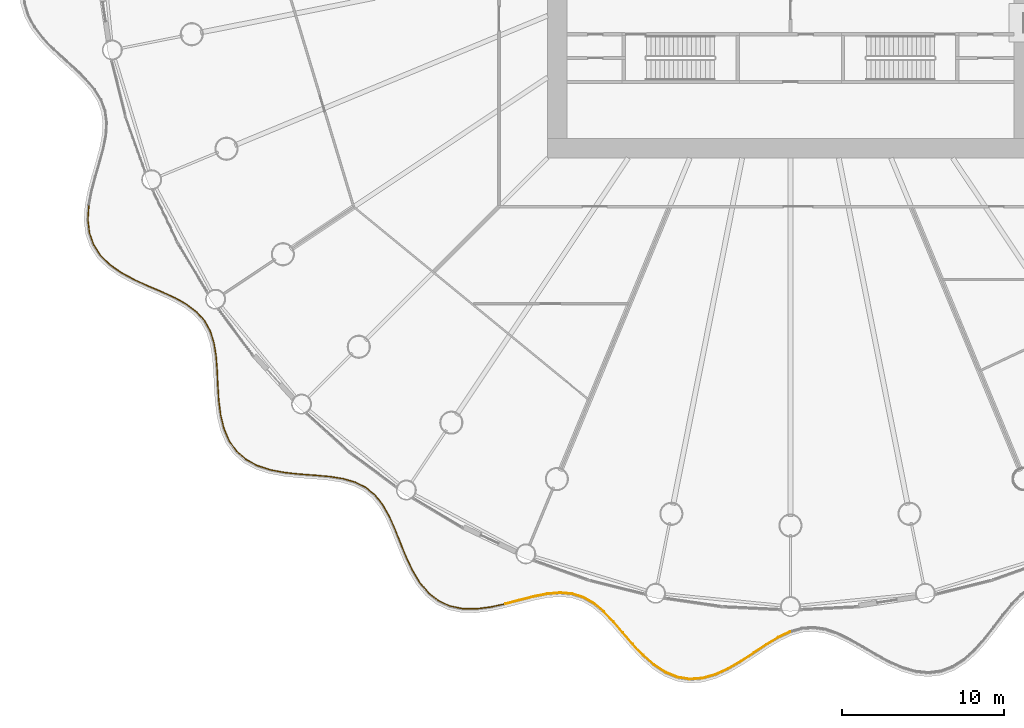
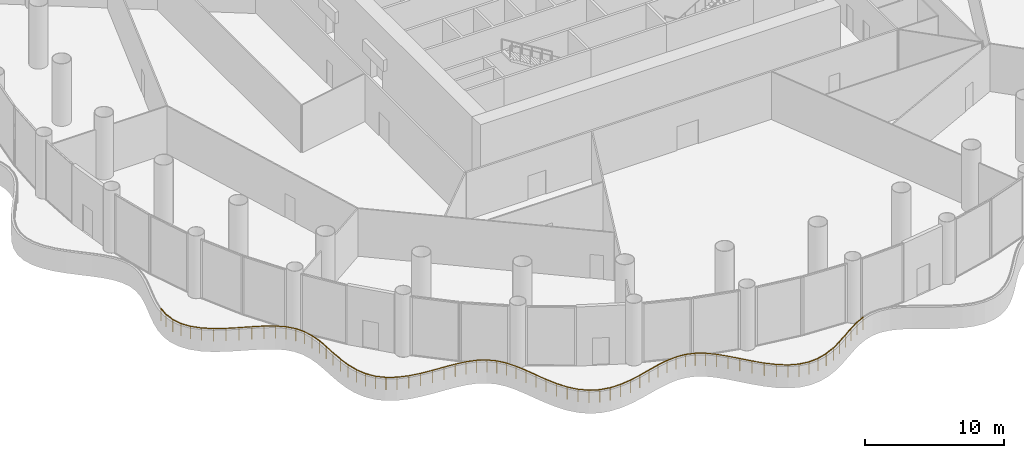
# One storey, part 30 of 37: 3 railings.
"""IFC4 building model written with IfcOpenShell, lengths in metres."""

import ifcopenshell
import ifcopenshell.guid

model = None  # the IFC model being written
_history = None  # IfcOwnerHistory: only IFC2X3 demands one
_inside = {}  # id of a spatial element -> (the spatial element, [elements in it])
_under = {}  # id of a project, library or spatial element -> (it, [spatial elements below it])
_declared = {}  # id of a project -> (the project, [libraries it declares])
_typed = {}  # id of a type object -> (the type object, [elements of that type])
_made_of = {}  # id of a material, layer set ... -> (it, [elements and type objects made of it])


def new_model(schema):
    """Start an empty IFC model of exactly this schema.

    Asked for "IFC4X3", IfcOpenShell would pick the latest addendum, in which some entities
    have other attributes; the version numbers below select the first issue.
    IFC2X3 requires an IfcOwnerHistory on every rooted entity: one is made here for all.
    """
    global model, _history
    if schema == "IFC4X3":
        model = ifcopenshell.file(schema_version=(4, 3, 0, 0))
    else:
        model = ifcopenshell.file(schema=schema)
    _inside.clear()
    _under.clear()
    _declared.clear()
    _typed.clear()
    _made_of.clear()
    _history = None
    if model.schema == "IFC2X3":
        org = make("IfcOrganization", Name="unknown")
        user = make(
            "IfcPersonAndOrganization",
            ThePerson=make("IfcPerson", FamilyName="unknown"),
            TheOrganization=org,
        )
        app = make(
            "IfcApplication",
            ApplicationDeveloper=org,
            Version="unknown",
            ApplicationFullName="unknown",
            ApplicationIdentifier="unknown",
        )
        _history = make(
            "IfcOwnerHistory",
            OwningUser=user,
            OwningApplication=app,
            ChangeAction="ADDED",
            CreationDate=0,
        )
    return model


def make(cls, **values):
    """One entity of the class cls with the attributes given. An attribute that is None is left unset."""
    return model.create_entity(
        cls, **{name: value for name, value in values.items() if value is not None}
    )


def rooted(cls, **values):
    """An entity with a GlobalId (a new one), such as an element, a storey or a relation."""
    return make(cls, GlobalId=ifcopenshell.guid.new(), OwnerHistory=_history, **values)


def si_unit(unit_type, name, prefix=None):
    """IfcSIUnit, for example si_unit("LENGTHUNIT", "METRE", prefix="MILLI")."""
    return make("IfcSIUnit", UnitType=unit_type, Prefix=prefix, Name=name)


def assignment(units):
    """IfcUnitAssignment: the units of a project."""
    return None if units is None else make("IfcUnitAssignment", Units=units)


def point(xyz):
    """IfcCartesianPoint."""
    return None if xyz is None else make("IfcCartesianPoint", Coordinates=xyz)


def direction(xyz):
    """IfcDirection."""
    return None if xyz is None else make("IfcDirection", DirectionRatios=xyz)


def frame(location, z_axis=None, x_axis=None):
    """IfcAxis2Placement3D, a coordinate frame: its origin and axes. An axis left out is left unset."""
    return make(
        "IfcAxis2Placement3D",
        Location=point(location),
        Axis=direction(z_axis),
        RefDirection=direction(x_axis),
    )


def frame_2d(location, x_axis=None):
    """IfcAxis2Placement2D, a coordinate frame in the plane: its origin and x axis."""
    return make(
        "IfcAxis2Placement2D", Location=point(location), RefDirection=direction(x_axis)
    )


def origin():
    """The frame at (0, 0, 0) with its axes left unset."""
    return frame((0.0, 0.0, 0.0))


def origin_2d():
    """The frame at (0, 0) in the plane with its x axis left unset."""
    return frame_2d((0.0, 0.0))


def place(relative_to, where):
    """IfcLocalPlacement: puts the frame where relative to a parent placement (None: the world)."""
    return make(
        "IfcLocalPlacement", PlacementRelTo=relative_to, RelativePlacement=where
    )


def context(
    kind, dimensions, precision=None, world=None, true_north=None, identifier=None
):
    """IfcGeometricRepresentationContext, for example the 3D "Model" context."""
    return make(
        "IfcGeometricRepresentationContext",
        ContextIdentifier=identifier,
        ContextType=kind,
        CoordinateSpaceDimension=dimensions,
        Precision=precision,
        WorldCoordinateSystem=world,
        TrueNorth=true_north,
    )


def subcontext(parent, identifier, kind, view, scale=None):
    """IfcGeometricRepresentationSubContext, for example "Body" below "Model"."""
    return make(
        "IfcGeometricRepresentationSubContext",
        ContextIdentifier=identifier,
        ContextType=kind,
        ParentContext=parent,
        TargetScale=scale,
        TargetView=view,
    )


def project(units=None, contexts=None):
    """IfcProject with its units and contexts."""
    return rooted(
        "IfcProject",
        Name="project",
        RepresentationContexts=contexts,
        UnitsInContext=assignment(units),
    )


def spatial(cls, under=None, at=None, **own):
    """A site, building, storey or space (cls), placed at a placement, below another one or the project."""
    s = rooted(cls, ObjectPlacement=at, **own)
    if under is not None:
        _under.setdefault(under.id(), (under, []))[1].append(s)
    return s


def profile(cls, at=None, kind="AREA", **sizes):
    """A parametric profile (cls). Its sizes go by their IFC names, for example OverallWidth=200.0."""
    return make(cls, ProfileType=kind, Position=at, **sizes)


def circle(**sizes):
    """IfcCircleProfileDef."""
    return profile("IfcCircleProfileDef", **sizes)


def extrude(swept, where, along, depth):
    """IfcExtrudedAreaSolid: the profile swept, set in the frame where, extruded along a direction by depth."""
    return make(
        "IfcExtrudedAreaSolid",
        SweptArea=swept,
        Position=where,
        ExtrudedDirection=direction(along),
        Depth=depth,
    )


def shape(context_of_items, identifier, shape_type, items):
    """IfcShapeRepresentation: the items that make up one representation, for example the "Body"."""
    return make(
        "IfcShapeRepresentation",
        ContextOfItems=context_of_items,
        RepresentationIdentifier=identifier,
        RepresentationType=shape_type,
        Items=items,
    )


def material(Name=None, Category=None):
    """IfcMaterial."""
    return make("IfcMaterial", Name=Name, Category=Category)


def made_of(thing, what):
    """Note that an element or type object is made of a material, layer set ...; save() writes the relation."""
    if what is not None:
        _made_of.setdefault(what.id(), (what, []))[1].append(thing)
    return thing


def type_object(cls, material=None, **own):
    """A type object (cls), such as IfcWallType, which elements share."""
    return made_of(rooted(cls, **own), material)


def element(
    cls,
    number,
    at=None,
    inside=None,
    cuts=None,
    type_object=None,
    material=None,
    context=None,
    identifier="Body",
    shape_type=None,
    held_by="IfcProductDefinitionShape",
    body=None,
    shapes=None,
    **own,
):
    """One element of the class cls, such as IfcWall. Its Tag is "e" and its number.

    at: its placement. inside: the storey or other place that contains it. cuts: it is an
    opening in that element (IfcRelVoidsElement). A single representation is given by context,
    identifier, shape_type and body (its items); several are given by shapes. held_by: the class
    of the entity that holds the representations. save() writes the other relations.
    """
    e = rooted(cls, Tag="e%d" % number, ObjectPlacement=at, **own)
    if body is not None:
        shapes = [shape(context, identifier, shape_type, body)]
    if shapes is not None:
        e.Representation = make(held_by, Representations=shapes)
    if inside is not None:
        _inside.setdefault(inside.id(), (inside, []))[1].append(e)
    if cuts is not None:
        rooted(
            "IfcRelVoidsElement", RelatingBuildingElement=cuts, RelatedOpeningElement=e
        )
    if type_object is not None:
        _typed.setdefault(type_object.id(), (type_object, []))[1].append(e)
    return made_of(e, material)


def aggregate(whole, parts):
    """IfcRelAggregates: a whole, such as a stair, and the parts it consists of."""
    return rooted("IfcRelAggregates", RelatingObject=whole, RelatedObjects=parts)


def save(model, path):
    """Write the relations noted so far, then the file.

    IfcRelAggregates (storeys below a building ...), IfcRelContainedInSpatialStructure (elements
    in a storey), IfcRelDefinesByType, IfcRelAssociatesMaterial and IfcRelDeclares: one each for
    every whole, place, type object, material and project.
    """
    for whole, parts in _under.values():
        aggregate(whole, parts)
    for where, things in _inside.values():
        rooted(
            "IfcRelContainedInSpatialStructure",
            RelatedElements=things,
            RelatingStructure=where,
        )
    for kind, things in _typed.values():
        rooted("IfcRelDefinesByType", RelatedObjects=things, RelatingType=kind)
    for what, things in _made_of.values():
        rooted("IfcRelAssociatesMaterial", RelatedObjects=things, RelatingMaterial=what)
    for by, libraries in _declared.values():
        rooted("IfcRelDeclares", RelatingContext=by, RelatedDefinitions=libraries)
    model.write(path)


model = new_model("IFC4")

# Units and contexts
model_context = context("Model", 3, precision=1e-05, world=origin(), true_north=direction((0.0, 1.0)))
body_context = subcontext(model_context, "Body", "Model", "MODEL_VIEW")
ifc_project = project(units=[si_unit("LENGTHUNIT", "METRE"), si_unit("AREAUNIT", "SQUARE_METRE"), si_unit("VOLUMEUNIT", "CUBIC_METRE"), si_unit("PLANEANGLEUNIT", "RADIAN"), si_unit("MASSUNIT", "GRAM", prefix="KILO")], contexts=[model_context])

# Site, building, storey
site_placement = place(None, origin())
site = spatial("IfcSite", under=ifc_project, at=site_placement, CompositionType="ELEMENT")
building_placement = place(site_placement, origin())
building = spatial("IfcBuilding", under=site, at=building_placement, Name="Corvane Civic Tower", CompositionType="ELEMENT")
storey_placement = place(building_placement, frame((0.0, 0.0, 11.5)))
storey = spatial("IfcBuildingStorey", under=building, at=storey_placement, Name="L02", CompositionType="ELEMENT", Elevation=11.5)

# Railings
ifc_material = material(Name="Steel ASTM A572 Gr 50", Category="steel")
railing_type = type_object("IfcRailingType", Name="PODIUM-RL-GUARD-1100", PredefinedType="GUARDRAIL", material=ifc_material)
railing_1_placement = place(storey_placement, frame((-43.336669921875, -17.974853515625, 0.0)))
element("IfcRailing", 1, at=railing_1_placement, inside=storey, type_object=railing_type, Name="L02 ribbon guard 6", PredefinedType="GUARDRAIL", context=body_context, shape_type="SweptSolid", body=[
    extrude(circle(Radius=0.02392578125, at=origin_2d()), frame((0.0, 0.0, 1.076171875), z_axis=(-0.061887576155, -0.998083126757, 0.0), x_axis=(0.998083126757, -0.061887576155, 0.0)), (0.0, 0.0, 1.0), 0.83642578125),
    extrude(circle(Radius=0.02392578125, at=origin_2d()), frame((-0.0517578125, -0.834716796875, 1.076171875), z_axis=(0.114156592688, -0.993462768475, 0.0), x_axis=(0.993462768475, 0.114156592688, 0.0)), (0.0, 0.0, 1.0), 0.812744140625),
    extrude(circle(Radius=0.02392578125, at=origin_2d()), frame((0.041015625, -1.64208984375, 1.076171875), z_axis=(0.328375339933, -0.944547318097, 0.0), x_axis=(0.944547318097, 0.328375339933, 0.0)), (0.0, 0.0, 1.0), 0.7822265625),
    extrude(circle(Radius=0.02392578125, at=origin_2d()), frame((0.2978515625, -2.380859375, 1.076171875), z_axis=(0.541119467015, -0.840945730959, 0.0), x_axis=(0.840945730959, 0.541119467015, 0.0)), (0.0, 0.0, 1.0), 0.7841796875),
    extrude(circle(Radius=0.02392578125, at=origin_2d()), frame((0.72216796875, -3.040283203125, 1.076171875), z_axis=(0.709343264461, -0.704863201738, 0.0), x_axis=(0.704863201738, 0.709343264461, 0.0)), (0.0, 0.0, 1.0), 0.8173828125),
    extrude(circle(Radius=0.02392578125, at=origin_2d()), frame((1.302001953125, -3.616455078125, 1.076171875), z_axis=(0.818635721865, -0.574313115718, 0.0), x_axis=(0.574313115718, 0.818635721865, 0.0)), (0.0, 0.0, 1.0), 0.866455078125),
    extrude(circle(Radius=0.02392578125, at=origin_2d()), frame((2.01123046875, -4.114013671875, 1.076171875), z_axis=(0.88067761825, -0.473716088721, 0.0), x_axis=(0.473716088721, 0.88067761825, 0.0)), (0.0, 0.0, 1.0), 0.91064453125),
    extrude(circle(Radius=0.02392578125, at=origin_2d()), frame((2.813232421875, -4.54541015625, 1.076171875), z_axis=(0.911161682007, -0.412049013155, 0.0), x_axis=(0.412049013155, 0.911161682007, 0.0)), (0.0, 0.0, 1.0), 0.933837890625),
    extrude(circle(Radius=0.02392578125, at=origin_2d()), frame((3.6640625, -4.93017578125, 1.076171875), z_axis=(0.920015181369, -0.391882719764, 0.0), x_axis=(0.391882719764, 0.920015181369, 0.0)), (0.0, 0.0, 1.0), 0.926513671875),
    extrude(circle(Radius=0.02392578125, at=origin_2d()), frame((4.516357421875, -5.293212890625, 1.076171875), z_axis=(0.909688003863, -0.41529234959, 0.0), x_axis=(0.41529234959, 0.909688003863, 0.0)), (0.0, 0.0, 1.0), 0.888916015625),
    extrude(circle(Radius=0.02392578125, at=origin_2d()), frame((5.324951171875, -5.662353515625, 1.076171875), z_axis=(0.874115666585, -0.485717820787, 0.0), x_axis=(0.485717820787, 0.874115666585, 0.0)), (0.0, 0.0, 1.0), 0.830322265625),
    extrude(circle(Radius=0.02392578125, at=origin_2d()), frame((6.05078125, -6.065673828125, 1.076171875), z_axis=(0.79812863736, -0.602487077227, 0.0), x_axis=(0.602487077227, 0.79812863736, 0.0)), (0.0, 0.0, 1.0), 0.768798828125),
    extrude(circle(Radius=0.02392578125, at=origin_2d()), frame((6.664306640625, -6.52880859375, 1.076171875), z_axis=(0.66584226346, -0.746092541305, 0.0), x_axis=(0.746092541305, 0.66584226346, 0.0)), (0.0, 0.0, 1.0), 0.72705078125),
    extrude(circle(Radius=0.02392578125, at=origin_2d()), frame((7.1484375, -7.0712890625, 1.076171875), z_axis=(0.485328341543, -0.874331974078, 0.0), x_axis=(0.874331974078, 0.485328341543, 0.0)), (0.0, 0.0, 1.0), 0.724853515625),
    extrude(circle(Radius=0.02392578125, at=origin_2d()), frame((7.500244140625, -7.705078125, 1.076171875), z_axis=(0.30178990041, -0.953374457394, 0.0), x_axis=(0.953374457394, 0.30178990041, 0.0)), (0.0, 0.0, 1.0), 0.762939453125),
    extrude(circle(Radius=0.02392578125, at=origin_2d()), frame((7.73046875, -8.432373046875, 1.076171875), z_axis=(0.160359970746, -0.987058599974, 0.0), x_axis=(0.987058599974, 0.160359970746, 0.0)), (0.0, 0.0, 1.0), 0.82373046875),
    extrude(circle(Radius=0.02392578125, at=origin_2d()), frame((7.862548828125, -9.245361328125, 1.076171875), z_axis=(0.07542872719, -0.997151195714, 0.0), x_axis=(0.997151195714, 0.07542872719, 0.0)), (0.0, 0.0, 1.0), 0.883544921875),
    extrude(circle(Radius=0.02392578125, at=origin_2d()), frame((7.92919921875, -10.12646484375, 1.076171875), z_axis=(0.044928131662, -0.998990221667, 0.0), x_axis=(0.998990221667, 0.044928131662, 0.0)), (0.0, 0.0, 1.0), 0.923828125),
    extrude(circle(Radius=0.02392578125, at=origin_2d()), frame((7.970703125, -11.04931640625, 1.076171875), z_axis=(0.061662540567, -0.998097054945, 0.0), x_axis=(0.998097054945, 0.061662540567, 0.0)), (0.0, 0.0, 1.0), 0.934326171875),
    extrude(circle(Radius=0.02392578125, at=origin_2d()), frame((8.0283203125, -11.98193359375, 1.076171875), z_axis=(0.125480400007, -0.99209609878, 0.0), x_axis=(0.99209609878, 0.125480400007, 0.0)), (0.0, 0.0, 1.0), 0.91455078125),
    extrude(circle(Radius=0.02392578125, at=origin_2d()), frame((8.14306640625, -12.88916015625, 1.076171875), z_axis=(0.236401609899, -0.971655432155, 0.0), x_axis=(0.971655432155, 0.236401609899, 0.0)), (0.0, 0.0, 1.0), 0.87158203125),
    extrude(circle(Radius=0.02392578125, at=origin_2d()), frame((8.34912109375, -13.736083984375, 1.076171875), z_axis=(0.392843922588, -0.919605161189, 0.0), x_axis=(0.919605161189, 0.392843922588, 0.0)), (0.0, 0.0, 1.0), 0.822265625),
    extrude(circle(Radius=0.02392578125, at=origin_2d()), frame((8.672119140625, -14.4921875, 1.076171875), z_axis=(0.578060431514, -0.81599395679, 0.0), x_axis=(0.81599395679, 0.578060431514, 0.0)), (0.0, 0.0, 1.0), 0.785888671875),
    extrude(circle(Radius=0.02392578125, at=origin_2d()), frame((9.12646484375, -15.133544921875, 1.076171875), z_axis=(0.753136596258, -0.657864170917, 0.0), x_axis=(0.657864170917, 0.753136596258, 0.0)), (0.0, 0.0, 1.0), 0.755859375),
    extrude(circle(Radius=0.02099609375, at=origin_2d()), origin(), (0.0, 0.0, 1.0), 1.052001953125),
    extrude(circle(Radius=0.02099609375, at=origin_2d()), frame((-0.0517578125, -0.834716796875, 0.0)), (0.0, 0.0, 1.0), 1.052001953125),
    extrude(circle(Radius=0.02099609375, at=origin_2d()), frame((0.041015625, -1.64208984375, 0.0)), (0.0, 0.0, 1.0), 1.052001953125),
    extrude(circle(Radius=0.02099609375, at=origin_2d()), frame((0.2978515625, -2.380859375, 0.0)), (0.0, 0.0, 1.0), 1.052001953125),
    extrude(circle(Radius=0.02099609375, at=origin_2d()), frame((0.72216796875, -3.040283203125, 0.0)), (0.0, 0.0, 1.0), 1.052001953125),
    extrude(circle(Radius=0.02099609375, at=origin_2d()), frame((1.302001953125, -3.616455078125, 0.0)), (0.0, 0.0, 1.0), 1.052001953125),
    extrude(circle(Radius=0.02099609375, at=origin_2d()), frame((2.01123046875, -4.114013671875, 0.0)), (0.0, 0.0, 1.0), 1.052001953125),
    extrude(circle(Radius=0.02099609375, at=origin_2d()), frame((2.813232421875, -4.54541015625, 0.0)), (0.0, 0.0, 1.0), 1.052001953125),
    extrude(circle(Radius=0.02099609375, at=origin_2d()), frame((3.6640625, -4.93017578125, 0.0)), (0.0, 0.0, 1.0), 1.052001953125),
    extrude(circle(Radius=0.02099609375, at=origin_2d()), frame((4.516357421875, -5.293212890625, 0.0)), (0.0, 0.0, 1.0), 1.052001953125),
    extrude(circle(Radius=0.02099609375, at=origin_2d()), frame((5.324951171875, -5.662353515625, 0.0)), (0.0, 0.0, 1.0), 1.052001953125),
    extrude(circle(Radius=0.02099609375, at=origin_2d()), frame((6.05078125, -6.065673828125, 0.0)), (0.0, 0.0, 1.0), 1.052001953125),
    extrude(circle(Radius=0.02099609375, at=origin_2d()), frame((6.664306640625, -6.52880859375, 0.0)), (0.0, 0.0, 1.0), 1.052001953125),
    extrude(circle(Radius=0.02099609375, at=origin_2d()), frame((7.1484375, -7.0712890625, 0.0)), (0.0, 0.0, 1.0), 1.052001953125),
    extrude(circle(Radius=0.02099609375, at=origin_2d()), frame((7.500244140625, -7.705078125, 0.0)), (0.0, 0.0, 1.0), 1.052001953125),
    extrude(circle(Radius=0.02099609375, at=origin_2d()), frame((7.73046875, -8.432373046875, 0.0)), (0.0, 0.0, 1.0), 1.052001953125),
    extrude(circle(Radius=0.02099609375, at=origin_2d()), frame((7.862548828125, -9.245361328125, 0.0)), (0.0, 0.0, 1.0), 1.052001953125),
    extrude(circle(Radius=0.02099609375, at=origin_2d()), frame((7.92919921875, -10.12646484375, 0.0)), (0.0, 0.0, 1.0), 1.052001953125),
    extrude(circle(Radius=0.02099609375, at=origin_2d()), frame((7.970703125, -11.04931640625, 0.0)), (0.0, 0.0, 1.0), 1.052001953125),
    extrude(circle(Radius=0.02099609375, at=origin_2d()), frame((8.0283203125, -11.98193359375, 0.0)), (0.0, 0.0, 1.0), 1.052001953125),
    extrude(circle(Radius=0.02099609375, at=origin_2d()), frame((8.14306640625, -12.88916015625, 0.0)), (0.0, 0.0, 1.0), 1.052001953125),
    extrude(circle(Radius=0.02099609375, at=origin_2d()), frame((8.34912109375, -13.736083984375, 0.0)), (0.0, 0.0, 1.0), 1.052001953125),
    extrude(circle(Radius=0.02099609375, at=origin_2d()), frame((8.672119140625, -14.4921875, 0.0)), (0.0, 0.0, 1.0), 1.052001953125),
    extrude(circle(Radius=0.02099609375, at=origin_2d()), frame((9.12646484375, -15.133544921875, 0.0)), (0.0, 0.0, 1.0), 1.052001953125),
    extrude(circle(Radius=0.02099609375, at=origin_2d()), frame((9.69580078125, -15.630859375, 0.0)), (0.0, 0.0, 1.0), 1.052001953125),
])
railing_2_placement = place(storey_placement, frame((-33.60009765625, -33.6337890625, 0.0)))
element("IfcRailing", 2, at=railing_2_placement, inside=storey, type_object=railing_type, Name="L02 ribbon guard 7", PredefinedType="GUARDRAIL", context=body_context, shape_type="SweptSolid", body=[
    extrude(circle(Radius=0.02392578125, at=origin_2d()), frame((0.0, 0.0, 1.076171875), z_axis=(0.880361004263, -0.474304229554, 0.0), x_axis=(0.474304229554, 0.880361004263, 0.0)), (0.0, 0.0, 1.0), 0.783447265625),
    extrude(circle(Radius=0.02392578125, at=origin_2d()), frame((0.689697265625, -0.37158203125, 1.076171875), z_axis=(0.951552568716, -0.307486111833, 0.0), x_axis=(0.307486111833, 0.951552568716, 0.0)), (0.0, 0.0, 1.0), 0.85595703125),
    extrude(circle(Radius=0.02392578125, at=origin_2d()), frame((1.504150390625, -0.634765625, 1.076171875), z_axis=(0.983249711201, -0.182263560327, 0.0), x_axis=(0.182263560327, 0.983249711201, 0.0)), (0.0, 0.0, 1.0), 0.90283203125),
    extrude(circle(Radius=0.02392578125, at=origin_2d()), frame((2.391845703125, -0.79931640625, 1.076171875), z_axis=(0.994539880598, -0.104357203395, 0.0), x_axis=(0.104357203395, 0.994539880598, 0.0)), (0.0, 0.0, 1.0), 0.93115234375),
    extrude(circle(Radius=0.02392578125, at=origin_2d()), frame((3.31787109375, -0.896484375, 1.076171875), z_axis=(0.997356492386, -0.072663794948, 0.0), x_axis=(0.072663794948, 0.997356492386, 0.0)), (0.0, 0.0, 1.0), 0.9306640625),
    extrude(circle(Radius=0.02392578125, at=origin_2d()), frame((4.24609375, -0.964111328125, 1.076171875), z_axis=(0.996145220254, -0.087719440061, 0.0), x_axis=(0.087719440061, 0.996145220254, 0.0)), (0.0, 0.0, 1.0), 0.89892578125),
    extrude(circle(Radius=0.02392578125, at=origin_2d()), frame((5.1416015625, -1.04296875, 1.076171875), z_axis=(0.987942969504, -0.154818245075, 0.0), x_axis=(0.154818245075, 0.987942969504, 0.0)), (0.0, 0.0, 1.0), 0.84375),
    extrude(circle(Radius=0.02392578125, at=origin_2d()), frame((5.97509765625, -1.173583984375, 1.076171875), z_axis=(0.960669700127, -0.277693585193, 0.0), x_axis=(0.277693585193, 0.960669700127, 0.0)), (0.0, 0.0, 1.0), 0.78076171875),
    extrude(circle(Radius=0.02392578125, at=origin_2d()), frame((6.72509765625, -1.390380859375, 1.076171875), z_axis=(0.893091245841, -0.449875567909, 0.0), x_axis=(0.449875567909, 0.893091245841, 0.0)), (0.0, 0.0, 1.0), 0.733154296875),
    extrude(circle(Radius=0.02392578125, at=origin_2d()), frame((7.3798828125, -1.72021484375, 1.076171875), z_axis=(0.773218013178, -0.634140287394, 0.0), x_axis=(0.634140287394, 0.773218013178, 0.0)), (0.0, 0.0, 1.0), 0.721435546875),
    extrude(circle(Radius=0.02392578125, at=origin_2d()), frame((7.937744140625, -2.177734375, 1.076171875), z_axis=(0.625288442745, -0.780393723302, 0.0), x_axis=(0.780393723302, 0.625288442745, 0.0)), (0.0, 0.0, 1.0), 0.75244140625),
    extrude(circle(Radius=0.02392578125, at=origin_2d()), frame((8.408203125, -2.764892578125, 1.076171875), z_axis=(0.494547800989, -0.869150431477, 0.0), x_axis=(0.869150431477, 0.494547800989, 0.0)), (0.0, 0.0, 1.0), 0.81005859375),
    extrude(circle(Radius=0.02392578125, at=origin_2d()), frame((8.808837890625, -3.468994140625, 1.076171875), z_axis=(0.407359011643, -0.913268107202, 0.0), x_axis=(0.913268107202, 0.407359011643, 0.0)), (0.0, 0.0, 1.0), 0.8720703125),
    extrude(circle(Radius=0.02392578125, at=origin_2d()), frame((9.1640625, -4.265380859375, 1.076171875), z_axis=(0.36872877104, -0.929537031757, 0.0), x_axis=(0.929537031757, 0.36872877104, 0.0)), (0.0, 0.0, 1.0), 0.917724609375),
    extrude(circle(Radius=0.02392578125, at=origin_2d()), frame((9.50244140625, -5.118408203125, 1.076171875), z_axis=(0.375844544912, -0.926682727831, 0.0), x_axis=(0.926682727831, 0.375844544912, 0.0)), (0.0, 0.0, 1.0), 0.934814453125),
    extrude(circle(Radius=0.02392578125, at=origin_2d()), frame((9.853759765625, -5.984619140625, 1.076171875), z_axis=(0.424916002999, -0.905232782435, 0.0), x_axis=(0.905232782435, 0.424916002999, 0.0)), (0.0, 0.0, 1.0), 0.921142578125),
    extrude(circle(Radius=0.02392578125, at=origin_2d()), frame((10.2451171875, -6.818359375, 1.076171875), z_axis=(0.515309933617, -0.857003892824, 0.0), x_axis=(0.857003892824, 0.515309933617, 0.0)), (0.0, 0.0, 1.0), 0.881591796875),
    extrude(circle(Radius=0.02392578125, at=origin_2d()), frame((10.699462890625, -7.573974609375, 1.076171875), z_axis=(0.64055952996, -0.767908515761, 0.0), x_axis=(0.767908515761, 0.64055952996, 0.0)), (0.0, 0.0, 1.0), 0.83203125),
    extrude(circle(Radius=0.02392578125, at=origin_2d()), frame((11.232421875, -8.212890625, 1.076171875), z_axis=(0.782850211169, -0.622210211161, 0.0), x_axis=(0.622210211161, 0.782850211169, 0.0)), (0.0, 0.0, 1.0), 0.791748046875),
    extrude(circle(Radius=0.02392578125, at=origin_2d()), frame((11.852294921875, -8.70556640625, 1.076171875), z_axis=(0.905958848672, -0.42336575737, 0.0), x_axis=(0.42336575737, 0.905958848672, 0.0)), (0.0, 0.0, 1.0), 0.779052734375),
    extrude(circle(Radius=0.02392578125, at=origin_2d()), frame((12.55810546875, -9.035400390625, 1.076171875), z_axis=(0.978559496335, -0.20596434675, 0.0), x_axis=(0.20596434675, 0.978559496335, 0.0)), (0.0, 0.0, 1.0), 0.800048828125),
    extrude(circle(Radius=0.02392578125, at=origin_2d()), frame((13.341064453125, -9.2001953125, 1.076171875), z_axis=(0.999873829142, -0.015884766205, 0.0), x_axis=(0.015884766205, 0.999873829142, 0.0)), (0.0, 0.0, 1.0), 0.84521484375),
    extrude(circle(Radius=0.02392578125, at=origin_2d()), frame((14.186279296875, -9.213623046875, 1.076171875), z_axis=(0.992282078148, 0.124001118491, 0.0), x_axis=(-0.124001118491, 0.992282078148, 0.0)), (0.0, 0.0, 1.0), 0.893798828125),
    extrude(circle(Radius=0.02392578125, at=origin_2d()), frame((15.0732421875, -9.102783203125, 1.076171875), z_axis=(0.977300736575, 0.211856721135, 0.0), x_axis=(-0.211856721135, 0.977300736575, 0.0)), (0.0, 0.0, 1.0), 0.90234375),
    extrude(circle(Radius=0.02099609375, at=origin_2d()), origin(), (0.0, 0.0, 1.0), 1.052001953125),
    extrude(circle(Radius=0.02099609375, at=origin_2d()), frame((0.689697265625, -0.37158203125, 0.0)), (0.0, 0.0, 1.0), 1.052001953125),
    extrude(circle(Radius=0.02099609375, at=origin_2d()), frame((1.504150390625, -0.634765625, 0.0)), (0.0, 0.0, 1.0), 1.052001953125),
    extrude(circle(Radius=0.02099609375, at=origin_2d()), frame((2.391845703125, -0.79931640625, 0.0)), (0.0, 0.0, 1.0), 1.052001953125),
    extrude(circle(Radius=0.02099609375, at=origin_2d()), frame((3.31787109375, -0.896484375, 0.0)), (0.0, 0.0, 1.0), 1.052001953125),
    extrude(circle(Radius=0.02099609375, at=origin_2d()), frame((4.24609375, -0.964111328125, 0.0)), (0.0, 0.0, 1.0), 1.052001953125),
    extrude(circle(Radius=0.02099609375, at=origin_2d()), frame((5.1416015625, -1.04296875, 0.0)), (0.0, 0.0, 1.0), 1.052001953125),
    extrude(circle(Radius=0.02099609375, at=origin_2d()), frame((5.97509765625, -1.173583984375, 0.0)), (0.0, 0.0, 1.0), 1.052001953125),
    extrude(circle(Radius=0.02099609375, at=origin_2d()), frame((6.72509765625, -1.390380859375, 0.0)), (0.0, 0.0, 1.0), 1.052001953125),
    extrude(circle(Radius=0.02099609375, at=origin_2d()), frame((7.3798828125, -1.72021484375, 0.0)), (0.0, 0.0, 1.0), 1.052001953125),
    extrude(circle(Radius=0.02099609375, at=origin_2d()), frame((7.937744140625, -2.177734375, 0.0)), (0.0, 0.0, 1.0), 1.052001953125),
    extrude(circle(Radius=0.02099609375, at=origin_2d()), frame((8.408203125, -2.764892578125, 0.0)), (0.0, 0.0, 1.0), 1.052001953125),
    extrude(circle(Radius=0.02099609375, at=origin_2d()), frame((8.808837890625, -3.468994140625, 0.0)), (0.0, 0.0, 1.0), 1.052001953125),
    extrude(circle(Radius=0.02099609375, at=origin_2d()), frame((9.1640625, -4.265380859375, 0.0)), (0.0, 0.0, 1.0), 1.052001953125),
    extrude(circle(Radius=0.02099609375, at=origin_2d()), frame((9.50244140625, -5.118408203125, 0.0)), (0.0, 0.0, 1.0), 1.052001953125),
    extrude(circle(Radius=0.02099609375, at=origin_2d()), frame((9.853759765625, -5.984619140625, 0.0)), (0.0, 0.0, 1.0), 1.052001953125),
    extrude(circle(Radius=0.02099609375, at=origin_2d()), frame((10.2451171875, -6.818359375, 0.0)), (0.0, 0.0, 1.0), 1.052001953125),
    extrude(circle(Radius=0.02099609375, at=origin_2d()), frame((10.699462890625, -7.573974609375, 0.0)), (0.0, 0.0, 1.0), 1.052001953125),
    extrude(circle(Radius=0.02099609375, at=origin_2d()), frame((11.232421875, -8.212890625, 0.0)), (0.0, 0.0, 1.0), 1.052001953125),
    extrude(circle(Radius=0.02099609375, at=origin_2d()), frame((11.852294921875, -8.70556640625, 0.0)), (0.0, 0.0, 1.0), 1.052001953125),
    extrude(circle(Radius=0.02099609375, at=origin_2d()), frame((12.55810546875, -9.035400390625, 0.0)), (0.0, 0.0, 1.0), 1.052001953125),
    extrude(circle(Radius=0.02099609375, at=origin_2d()), frame((13.341064453125, -9.2001953125, 0.0)), (0.0, 0.0, 1.0), 1.052001953125),
    extrude(circle(Radius=0.02099609375, at=origin_2d()), frame((14.186279296875, -9.213623046875, 0.0)), (0.0, 0.0, 1.0), 1.052001953125),
    extrude(circle(Radius=0.02099609375, at=origin_2d()), frame((15.0732421875, -9.102783203125, 0.0)), (0.0, 0.0, 1.0), 1.052001953125),
    extrude(circle(Radius=0.02099609375, at=origin_2d()), frame((15.955078125, -8.91162109375, 0.0)), (0.0, 0.0, 1.0), 1.052001953125),
])
railing_3_placement = place(storey_placement, frame((-17.596435546875, -42.53369140625, 0.0)))
element("IfcRailing", 3, at=railing_3_placement, inside=storey, type_object=railing_type, Name="L02 ribbon guard 8", PredefinedType="GUARDRAIL", context=body_context, shape_type="SweptSolid", body=[
    extrude(circle(Radius=0.02392578125, at=origin_2d()), frame((0.0, 0.0, 1.076171875), z_axis=(0.967625834901, 0.252389071937, 0.0), x_axis=(-0.252389071937, 0.967625834901, 0.0)), (0.0, 0.0, 1.0), 0.908203125),
    extrude(circle(Radius=0.02392578125, at=origin_2d()), frame((0.87890625, 0.229248046875, 1.076171875), z_axis=(0.968928678402, 0.247340284165, 0.0), x_axis=(-0.247340284165, 0.968928678402, 0.0)), (0.0, 0.0, 1.0), 0.908203125),
    extrude(circle(Radius=0.02392578125, at=origin_2d()), frame((1.7587890625, 0.453857421875, 1.076171875), z_axis=(0.981157277714, 0.193210756401, 0.0), x_axis=(-0.193210756401, 0.981157277714, 0.0)), (0.0, 0.0, 1.0), 0.856689453125),
    extrude(circle(Radius=0.02392578125, at=origin_2d()), frame((2.599365234375, 0.619384765625, 1.076171875), z_axis=(0.996719662281, 0.080931544051, 0.0), x_axis=(-0.080931544051, 0.996719662281, 0.0)), (0.0, 0.0, 1.0), 0.79345703125),
    extrude(circle(Radius=0.02392578125, at=origin_2d()), frame((3.39013671875, 0.68359375, 1.076171875), z_axis=(0.995671475827, -0.09294252108, 0.0), x_axis=(0.09294252108, 0.995671475827, 0.0)), (0.0, 0.0, 1.0), 0.74072265625),
    extrude(circle(Radius=0.02392578125, at=origin_2d()), frame((4.127685546875, 0.61474609375, 1.076171875), z_axis=(0.952671741947, -0.304000908049, 0.0), x_axis=(0.304000908049, 0.952671741947, 0.0)), (0.0, 0.0, 1.0), 0.720458984375),
    extrude(circle(Radius=0.02392578125, at=origin_2d()), frame((4.81396484375, 0.395751953125, 1.076171875), z_axis=(0.865928333736, -0.500168092579, 0.0), x_axis=(0.500168092579, 0.865928333736, 0.0)), (0.0, 0.0, 1.0), 0.742919921875),
    extrude(circle(Radius=0.02392578125, at=origin_2d()), frame((5.457275390625, 0.024169921875, 1.076171875), z_axis=(0.768246397082, -0.640154257481, 0.0), x_axis=(0.640154257481, 0.768246397082, 0.0)), (0.0, 0.0, 1.0), 0.796630859375),
    extrude(circle(Radius=0.02392578125, at=origin_2d()), frame((6.0693359375, -0.48583984375, 1.076171875), z_axis=(0.693057647536, -0.720882165955, 0.0), x_axis=(0.720882165955, 0.693057647536, 0.0)), (0.0, 0.0, 1.0), 0.85986328125),
    extrude(circle(Radius=0.02392578125, at=origin_2d()), frame((6.665283203125, -1.105712890625, 1.076171875), z_axis=(0.654297095356, -0.756237602218, 0.0), x_axis=(0.756237602218, 0.654297095356, 0.0)), (0.0, 0.0, 1.0), 0.91015625),
    extrude(circle(Radius=0.02392578125, at=origin_2d()), frame((7.2607421875, -1.7939453125, 1.076171875), z_axis=(0.652039268828, -0.758185196312, 0.0), x_axis=(0.758185196312, 0.652039268828, 0.0)), (0.0, 0.0, 1.0), 0.933837890625),
    extrude(circle(Radius=0.02392578125, at=origin_2d()), frame((7.86962890625, -2.501953125, 1.076171875), z_axis=(0.684896018256, -0.72864081973, 0.0), x_axis=(0.72864081973, 0.684896018256, 0.0)), (0.0, 0.0, 1.0), 0.926513671875),
    extrude(circle(Radius=0.02392578125, at=origin_2d()), frame((8.504150390625, -3.177001953125, 1.076171875), z_axis=(0.748797877953, -0.662798414281, 0.0), x_axis=(0.662798414281, 0.748797877953, 0.0)), (0.0, 0.0, 1.0), 0.891357421875),
    extrude(circle(Radius=0.02392578125, at=origin_2d()), frame((9.171630859375, -3.767822265625, 1.076171875), z_axis=(0.835511617619, -0.549472780786, 0.0), x_axis=(0.549472780786, 0.835511617619, 0.0)), (0.0, 0.0, 1.0), 0.842529296875),
    extrude(circle(Radius=0.02392578125, at=origin_2d()), frame((9.87548828125, -4.230712890625, 1.076171875), z_axis=(0.925945868411, -0.377656257426, 0.0), x_axis=(0.377656257426, 0.925945868411, 0.0)), (0.0, 0.0, 1.0), 0.79833984375),
    extrude(circle(Radius=0.02392578125, at=origin_2d()), frame((10.61474609375, -4.5322265625, 1.076171875), z_axis=(0.987740079957, -0.156107445198, 0.0), x_axis=(0.156107445198, 0.987740079957, 0.0)), (0.0, 0.0, 1.0), 0.77880859375),
    extrude(circle(Radius=0.02392578125, at=origin_2d()), frame((11.384033203125, -4.65380859375, 1.076171875), z_axis=(0.997036356128, 0.076931817602, 0.0), x_axis=(-0.076931817602, 0.997036356128, 0.0)), (0.0, 0.0, 1.0), 0.79345703125),
    extrude(circle(Radius=0.02392578125, at=origin_2d()), frame((12.175048828125, -4.5927734375, 1.076171875), z_axis=(0.96138033596, 0.275223272327, 0.0), x_axis=(-0.275223272327, 0.96138033596, 0.0)), (0.0, 0.0, 1.0), 0.834716796875),
    extrude(circle(Radius=0.02392578125, at=origin_2d()), frame((12.9775390625, -4.363037109375, 1.076171875), z_axis=(0.909047390124, 0.416692743529, 0.0), x_axis=(-0.416692743529, 0.909047390124, 0.0)), (0.0, 0.0, 1.0), 0.884033203125),
    extrude(circle(Radius=0.02392578125, at=origin_2d()), frame((13.78125, -3.99462890625, 1.076171875), z_axis=(0.863000398501, 0.505203238497, 0.0), x_axis=(-0.505203238497, 0.863000398501, 0.0)), (0.0, 0.0, 1.0), 0.922607421875),
    extrude(circle(Radius=0.02392578125, at=origin_2d()), frame((14.577392578125, -3.528564453125, 1.076171875), z_axis=(0.835928065032, 0.548839020198, 0.0), x_axis=(-0.548839020198, 0.835928065032, 0.0)), (0.0, 0.0, 1.0), 0.9345703125),
    extrude(circle(Radius=0.02392578125, at=origin_2d()), frame((15.358642578125, -3.015625, 1.076171875), z_axis=(0.833278542405, 0.552853389939, 0.0), x_axis=(-0.552853389939, 0.833278542405, 0.0)), (0.0, 0.0, 1.0), 0.915771484375),
    extrude(circle(Radius=0.02392578125, at=origin_2d()), frame((16.121826171875, -2.50927734375, 1.076171875), z_axis=(0.857071265822, 0.515197870048, 0.0), x_axis=(-0.515197870048, 0.857071265822, 0.0)), (0.0, 0.0, 1.0), 0.869140625),
    extrude(circle(Radius=0.02392578125, at=origin_2d()), frame((16.86669921875, -2.0615234375, 1.076171875), z_axis=(0.904556619747, 0.42635351725, 0.0), x_axis=(-0.42635351725, 0.904556619747, 0.0)), (0.0, 0.0, 1.0), 0.78173828125),
    extrude(circle(Radius=0.02099609375, at=origin_2d()), origin(), (0.0, 0.0, 1.0), 1.052001953125),
    extrude(circle(Radius=0.02099609375, at=origin_2d()), frame((0.87890625, 0.229248046875, 0.0)), (0.0, 0.0, 1.0), 1.052001953125),
    extrude(circle(Radius=0.02099609375, at=origin_2d()), frame((1.7587890625, 0.453857421875, 0.0)), (0.0, 0.0, 1.0), 1.052001953125),
    extrude(circle(Radius=0.02099609375, at=origin_2d()), frame((2.599365234375, 0.619384765625, 0.0)), (0.0, 0.0, 1.0), 1.052001953125),
    extrude(circle(Radius=0.02099609375, at=origin_2d()), frame((3.39013671875, 0.68359375, 0.0)), (0.0, 0.0, 1.0), 1.052001953125),
    extrude(circle(Radius=0.02099609375, at=origin_2d()), frame((4.127685546875, 0.61474609375, 0.0)), (0.0, 0.0, 1.0), 1.052001953125),
    extrude(circle(Radius=0.02099609375, at=origin_2d()), frame((4.81396484375, 0.395751953125, 0.0)), (0.0, 0.0, 1.0), 1.052001953125),
    extrude(circle(Radius=0.02099609375, at=origin_2d()), frame((5.457275390625, 0.024169921875, 0.0)), (0.0, 0.0, 1.0), 1.052001953125),
    extrude(circle(Radius=0.02099609375, at=origin_2d()), frame((6.0693359375, -0.48583984375, 0.0)), (0.0, 0.0, 1.0), 1.052001953125),
    extrude(circle(Radius=0.02099609375, at=origin_2d()), frame((6.665283203125, -1.105712890625, 0.0)), (0.0, 0.0, 1.0), 1.052001953125),
    extrude(circle(Radius=0.02099609375, at=origin_2d()), frame((7.2607421875, -1.7939453125, 0.0)), (0.0, 0.0, 1.0), 1.052001953125),
    extrude(circle(Radius=0.02099609375, at=origin_2d()), frame((7.86962890625, -2.501953125, 0.0)), (0.0, 0.0, 1.0), 1.052001953125),
    extrude(circle(Radius=0.02099609375, at=origin_2d()), frame((8.504150390625, -3.177001953125, 0.0)), (0.0, 0.0, 1.0), 1.052001953125),
    extrude(circle(Radius=0.02099609375, at=origin_2d()), frame((9.171630859375, -3.767822265625, 0.0)), (0.0, 0.0, 1.0), 1.052001953125),
    extrude(circle(Radius=0.02099609375, at=origin_2d()), frame((9.87548828125, -4.230712890625, 0.0)), (0.0, 0.0, 1.0), 1.052001953125),
    extrude(circle(Radius=0.02099609375, at=origin_2d()), frame((10.61474609375, -4.5322265625, 0.0)), (0.0, 0.0, 1.0), 1.052001953125),
    extrude(circle(Radius=0.02099609375, at=origin_2d()), frame((11.384033203125, -4.65380859375, 0.0)), (0.0, 0.0, 1.0), 1.052001953125),
    extrude(circle(Radius=0.02099609375, at=origin_2d()), frame((12.175048828125, -4.5927734375, 0.0)), (0.0, 0.0, 1.0), 1.052001953125),
    extrude(circle(Radius=0.02099609375, at=origin_2d()), frame((12.9775390625, -4.363037109375, 0.0)), (0.0, 0.0, 1.0), 1.052001953125),
    extrude(circle(Radius=0.02099609375, at=origin_2d()), frame((13.78125, -3.99462890625, 0.0)), (0.0, 0.0, 1.0), 1.052001953125),
    extrude(circle(Radius=0.02099609375, at=origin_2d()), frame((14.577392578125, -3.528564453125, 0.0)), (0.0, 0.0, 1.0), 1.052001953125),
    extrude(circle(Radius=0.02099609375, at=origin_2d()), frame((15.358642578125, -3.015625, 0.0)), (0.0, 0.0, 1.0), 1.052001953125),
    extrude(circle(Radius=0.02099609375, at=origin_2d()), frame((16.121826171875, -2.50927734375, 0.0)), (0.0, 0.0, 1.0), 1.052001953125),
    extrude(circle(Radius=0.02099609375, at=origin_2d()), frame((16.86669921875, -2.0615234375, 0.0)), (0.0, 0.0, 1.0), 1.052001953125),
    extrude(circle(Radius=0.02099609375, at=origin_2d()), frame((17.57373046875, -1.728271484375, 0.0)), (0.0, 0.0, 1.0), 1.052001953125),
])

save(model, "model.ifc")
